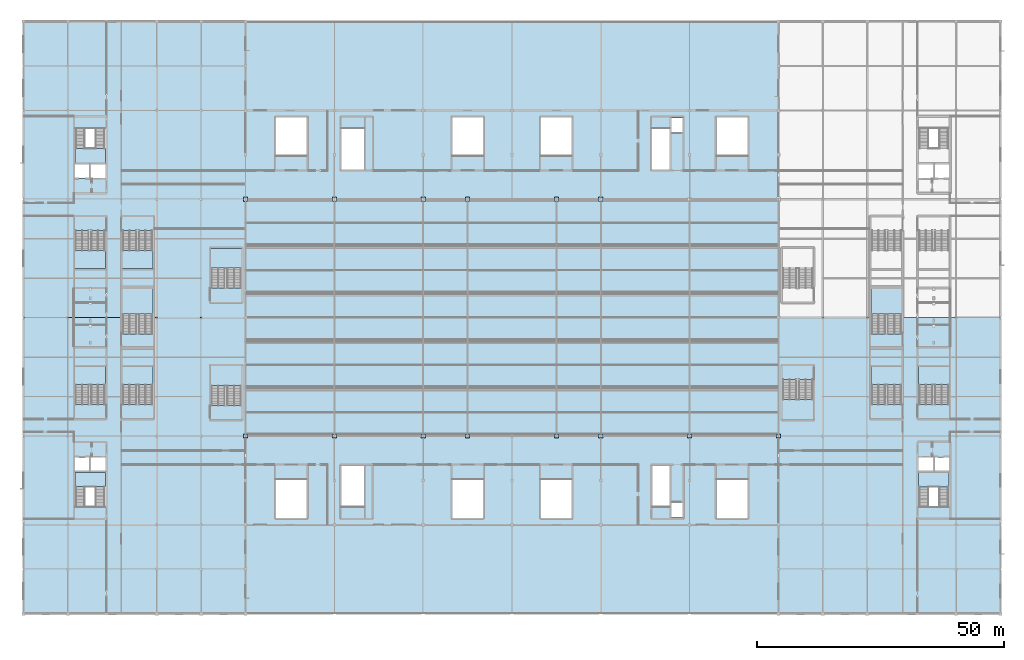
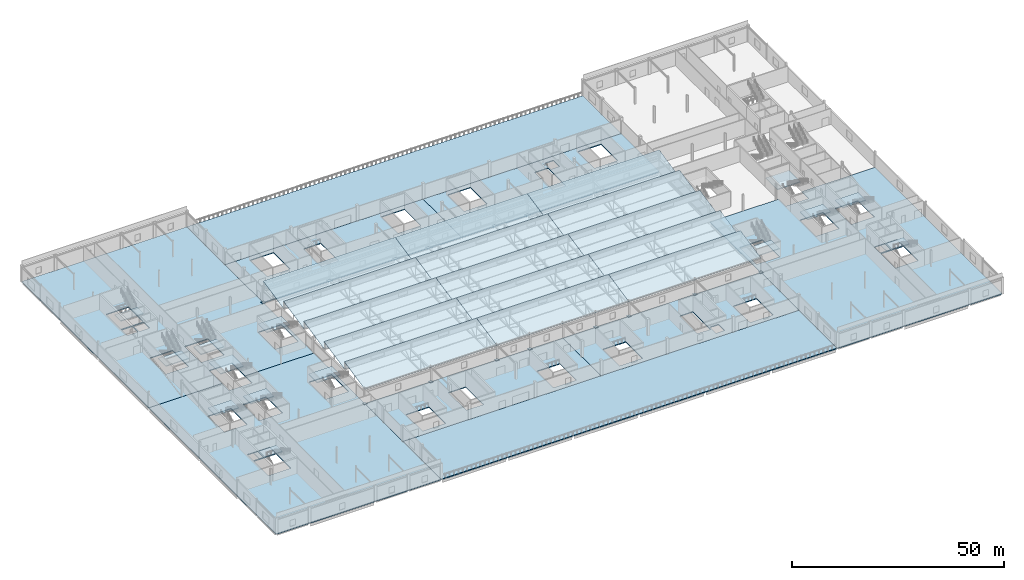
# One storey, part 92 of 136: 38 slabs, 14 plates, 19 elements without a shape of their own.
"""IFC4 building model written with IfcOpenShell, lengths in metres."""

from ifc_helpers import new_model, si_unit, direction, frame, origin, origin_2d, place, context, subcontext, project, spatial, polyline, rectangle, outline, extrude, material, layer, layer_set, type_object, element, aggregate, save


model = new_model("IFC4")

# Units and contexts
model_context = context("Model", 3, precision=1e-05, world=origin(), true_north=direction((0.0, 1.0)))
body_context = subcontext(model_context, "Body", "Model", "MODEL_VIEW")
ifc_project = project(units=[si_unit("LENGTHUNIT", "METRE"), si_unit("AREAUNIT", "SQUARE_METRE"), si_unit("VOLUMEUNIT", "CUBIC_METRE"), si_unit("PLANEANGLEUNIT", "RADIAN"), si_unit("MASSUNIT", "GRAM", prefix="KILO")], contexts=[model_context])

# Site, building, storey
site_placement = place(None, origin())
site = spatial("IfcSite", under=ifc_project, at=site_placement, CompositionType="ELEMENT")
building_placement = place(site_placement, origin())
building = spatial("IfcBuilding", under=site, at=building_placement, Name="Kisiwana Market Hall", CompositionType="ELEMENT")
storey_placement = place(building_placement, frame((0.0, 0.0, 16.800048828125)))
storey = spatial("IfcBuildingStorey", under=building, at=storey_placement, Name="L03", CompositionType="ELEMENT", Elevation=16.800048828125)

# Plates
ifc_material_1 = material(Name="Steel S355", Category="steel")
ifc_layer_1 = layer(ifc_material_1, 0.0400390625)
ifc_layer_set_1 = layer_set([ifc_layer_1], Name="PL-STR-BEAR-40")
plate_type = type_object("IfcPlateType", Name="PL-STR-BEAR-40", PredefinedType="SHEET", material=ifc_layer_set_1)
for number, where, z_axis, x_axis, name in (
    (1, (45.0, 36.0, 0.0), (0.0, 0.0, 1.0), (1.0, 0.0, 0.0), "Warren truss bearing shoe plate BP-13"),
    (2, (45.0, 84.0, 0.0), (0.0, 0.0, 1.0), (1.0, 0.0, 0.0), "Warren truss bearing shoe plate BP-14"),
    (3, (63.0, 36.0, 0.0), (0.0, 0.0, 1.0), (1.0, 0.0, 0.0), "Warren truss bearing shoe plate BP-15"),
    (4, (63.0, 84.0, 0.0), (0.0, 0.0, 1.0), (1.0, 0.0, 0.0), "Warren truss bearing shoe plate BP-16"),
    (5, (81.0, 36.0, 0.0), (0.0, 0.0, 1.0), (1.0, 0.0, 0.0), "Warren truss bearing shoe plate BP-17"),
    (6, (81.0, 84.0, 0.0), (0.0, 0.0, 1.0), (1.0, 0.0, 0.0), "Warren truss bearing shoe plate BP-18"),
    (7, (90.0, 36.0, 0.0), (0.0, 0.0, 1.0), (1.0, 0.0, 0.0), "Warren truss bearing shoe plate BP-19"),
    (8, (90.0, 84.0, 0.0), (0.0, 0.0, 1.0), (1.0, 0.0, 0.0), "Warren truss bearing shoe plate BP-20"),
    (9, (108.0, 36.0, 0.0), (0.0, 0.0, 1.0), (1.0, 0.0, 0.0), "Warren truss bearing shoe plate BP-21"),
    (10, (108.0, 84.0, 0.0), (0.0, 0.0, 1.0), (1.0, 0.0, 0.0), "Warren truss bearing shoe plate BP-22"),
    (11, (117.0, 36.0, 0.0), (0.0, 0.0, 1.0), (1.0, 0.0, 0.0), "Warren truss bearing shoe plate BP-23"),
    (12, (117.0, 84.0, 0.0), (0.0, 0.0, 1.0), (1.0, 0.0, 0.0), "Warren truss bearing shoe plate BP-24"),
    (13, (135.0, 36.0, 0.0), (0.0, 0.0, 1.0), (1.0, 0.0, 0.0), "Warren truss bearing shoe plate BP-25"),
    (14, (153.0, 36.0, 0.0), (0.0, 0.0, 1.0), (1.0, 0.0, 0.0), "Warren truss bearing shoe plate BP-27"),
):
    element("IfcPlate", number, at=place(storey_placement, frame(where, z_axis=z_axis, x_axis=x_axis)), inside=storey, type_object=plate_type, Name=name, PredefinedType="SHEET", context=body_context, shape_type="SweptSolid", body=[
        extrude(rectangle(XDim=0.85009765625, YDim=0.85009765625, at=origin_2d()), origin(), (0.0, 0.0, 1.0), 0.0400390625),
    ])

# Stair, slab
ifc_material_2 = material(Name="Concrete C32/40", Category="concrete")
stair_type_1 = type_object("IfcStairType", Name="ST-POD-4800", PredefinedType="TWO_STRAIGHT_RUN_STAIR", material=ifc_material_2)
stair_1_placement = place(storey_placement, origin())
stair_1 = element("IfcStair", 15, at=stair_1_placement, inside=storey, type_object=stair_type_1, Name="Escape stair ST-W2-L03", PredefinedType="TWO_STRAIGHT_RUN_STAIR")
ifc_material_3 = material(Name="Concrete C32/40", Category="concrete")
ifc_layer_2 = layer(ifc_material_3, 0.239990234375)
ifc_layer_set_2 = layer_set([ifc_layer_2], Name="SL-LANDING-160")
slab_type_1 = type_object("IfcSlabType", Name="SL-LANDING-160", PredefinedType="LANDING", material=ifc_layer_set_2)
slab_1_placement = place(storey_placement, frame((0.0, 0.0, 2.159912109375)))
slab_1 = element("IfcSlab", 16, at=slab_1_placement, type_object=slab_type_1, Name="ST-W2-L03 landing 1 S-209", PredefinedType="LANDING", context=body_context, shape_type="SweptSolid", body=[
    extrude(outline(polyline([(10.405029296875, 25.73388671875), (16.594970703125, 25.73388671875), (16.594970703125, 28.64501953125), (10.405029296875, 28.64501953125), (10.405029296875, 25.73388671875)])), origin(), (0.0, 0.0, 1.0), 0.239990234375),
])
aggregate(stair_1, [slab_1])

stair_2_placement = place(storey_placement, origin())
stair_2 = element("IfcStair", 17, at=stair_2_placement, inside=storey, type_object=stair_type_1, Name="Escape stair ST-W1-L03", PredefinedType="TWO_STRAIGHT_RUN_STAIR")
slab_2_placement = place(storey_placement, frame((0.0, 0.0, 2.159912109375)))
slab_2 = element("IfcSlab", 18, at=slab_2_placement, type_object=slab_type_1, Name="ST-W1-L03 landing 1 S-207", PredefinedType="LANDING", context=body_context, shape_type="SweptSolid", body=[
    extrude(outline(polyline([(10.405029296875, 91.35498046875), (16.594970703125, 91.35498046875), (16.594970703125, 94.26611328125), (10.405029296875, 94.26611328125), (10.405029296875, 91.35498046875)])), origin(), (0.0, 0.0, 1.0), 0.239990234375),
])
aggregate(stair_2, [slab_2])

stair_3_placement = place(storey_placement, origin())
stair_3 = element("IfcStair", 19, at=stair_3_placement, inside=storey, type_object=stair_type_1, Name="Escape stair ST-E2-L03", PredefinedType="TWO_STRAIGHT_RUN_STAIR")
slab_3_placement = place(storey_placement, frame((0.0, 0.0, 2.159912109375)))
slab_3 = element("IfcSlab", 20, at=slab_3_placement, type_object=slab_type_1, Name="ST-E2-L03 landing 1 S-200", PredefinedType="LANDING", context=body_context, shape_type="SweptSolid", body=[
    extrude(outline(polyline([(181.3798828125, 25.708984375), (187.6201171875, 25.708984375), (187.6201171875, 28.6201171875), (181.3798828125, 28.6201171875), (181.3798828125, 25.708984375)])), origin(), (0.0, 0.0, 1.0), 0.239990234375),
])
aggregate(stair_3, [slab_3])

ifc_material_4 = material(Name="Concrete C32/40", Category="concrete")
stair_type_2 = type_object("IfcStairType", Name="ST-ESC-4800", PredefinedType="TWO_STRAIGHT_RUN_STAIR", material=ifc_material_4)
stair_4_placement = place(storey_placement, origin())
stair_4 = element("IfcStair", 21, at=stair_4_placement, inside=storey, type_object=stair_type_2, Name="Escape stair ST-W3-L03", PredefinedType="TWO_STRAIGHT_RUN_STAIR")
slab_4_placement = place(storey_placement, frame((0.0, 0.0, 2.159912109375)))
slab_4 = element("IfcSlab", 22, at=slab_4_placement, type_object=slab_type_1, Name="ST-W3-L03 landing 1 S-210", PredefinedType="LANDING", context=body_context, shape_type="SweptSolid", body=[
    extrude(outline(polyline([(10.340087890625, 46.41943359375), (16.659912109375, 46.41943359375), (16.659912109375, 50.06005859375), (10.340087890625, 50.06005859375), (10.340087890625, 46.41943359375)])), origin(), (0.0, 0.0, 1.0), 0.239990234375),
])
aggregate(stair_4, [slab_4])

stair_5_placement = place(storey_placement, origin())
stair_5 = element("IfcStair", 23, at=stair_5_placement, inside=storey, type_object=stair_type_2, Name="Escape stair ST-W4-L03", PredefinedType="TWO_STRAIGHT_RUN_STAIR")
slab_5_placement = place(storey_placement, frame((0.0, 0.0, 2.159912109375)))
slab_5 = element("IfcSlab", 24, at=slab_5_placement, type_object=slab_type_1, Name="ST-W4-L03 landing 1 S-211", PredefinedType="LANDING", context=body_context, shape_type="SweptSolid", body=[
    extrude(outline(polyline([(10.340087890625, 69.93994140625), (16.659912109375, 69.93994140625), (16.659912109375, 73.58056640625), (10.340087890625, 73.58056640625), (10.340087890625, 69.93994140625)])), origin(), (0.0, 0.0, 1.0), 0.239990234375),
])
aggregate(stair_5, [slab_5])

stair_6_placement = place(storey_placement, origin())
stair_6 = element("IfcStair", 25, at=stair_6_placement, inside=storey, type_object=stair_type_2, Name="Escape stair ST-E3-L03", PredefinedType="TWO_STRAIGHT_RUN_STAIR")
slab_6_placement = place(storey_placement, frame((0.0, 0.0, 2.159912109375)))
slab_6 = element("IfcSlab", 26, at=slab_6_placement, type_object=slab_type_1, Name="ST-E3-L03 landing 1 S-201", PredefinedType="LANDING", context=body_context, shape_type="SweptSolid", body=[
    extrude(outline(polyline([(181.340087890625, 46.41943359375), (187.659912109375, 46.41943359375), (187.659912109375, 50.06005859375), (181.340087890625, 50.06005859375), (181.340087890625, 46.41943359375)])), origin(), (0.0, 0.0, 1.0), 0.239990234375),
])
aggregate(stair_6, [slab_6])

stair_7_placement = place(storey_placement, origin())
stair_7 = element("IfcStair", 27, at=stair_7_placement, inside=storey, type_object=stair_type_2, Name="Escape stair ST-W7-L03", PredefinedType="TWO_STRAIGHT_RUN_STAIR")
slab_7_placement = place(storey_placement, frame((0.0, 0.0, 2.159912109375)))
slab_7 = element("IfcSlab", 28, at=slab_7_placement, type_object=slab_type_1, Name="ST-W7-L03 landing 1 S-213", PredefinedType="LANDING", context=body_context, shape_type="SweptSolid", body=[
    extrude(outline(polyline([(19.93994140625, 46.41943359375), (26.260009765625, 46.41943359375), (26.260009765625, 50.06005859375), (19.93994140625, 50.06005859375), (19.93994140625, 46.41943359375)])), origin(), (0.0, 0.0, 1.0), 0.239990234375),
])
aggregate(stair_7, [slab_7])

stair_8_placement = place(storey_placement, origin())
stair_8 = element("IfcStair", 29, at=stair_8_placement, inside=storey, type_object=stair_type_2, Name="Escape stair ST-E7-L03", PredefinedType="TWO_STRAIGHT_RUN_STAIR")
slab_8_placement = place(storey_placement, frame((0.0, 0.0, 2.159912109375)))
slab_8 = element("IfcSlab", 30, at=slab_8_placement, type_object=slab_type_1, Name="ST-E7-L03 landing 1 S-204", PredefinedType="LANDING", context=body_context, shape_type="SweptSolid", body=[
    extrude(outline(polyline([(171.739990234375, 46.41943359375), (178.06005859375, 46.41943359375), (178.06005859375, 50.06005859375), (171.739990234375, 50.06005859375), (171.739990234375, 46.41943359375)])), origin(), (0.0, 0.0, 1.0), 0.239990234375),
])
aggregate(stair_8, [slab_8])

stair_9_placement = place(storey_placement, origin())
stair_9 = element("IfcStair", 31, at=stair_9_placement, inside=storey, type_object=stair_type_2, Name="Escape stair ST-W8-L03", PredefinedType="TWO_STRAIGHT_RUN_STAIR")
slab_9_placement = place(storey_placement, frame((0.0, 0.0, 2.159912109375)))
slab_9 = element("IfcSlab", 32, at=slab_9_placement, type_object=slab_type_1, Name="ST-W8-L03 landing 1 S-214", PredefinedType="LANDING", context=body_context, shape_type="SweptSolid", body=[
    extrude(outline(polyline([(19.93994140625, 69.93994140625), (26.260009765625, 69.93994140625), (26.260009765625, 73.58056640625), (19.93994140625, 73.58056640625), (19.93994140625, 69.93994140625)])), origin(), (0.0, 0.0, 1.0), 0.239990234375),
])
aggregate(stair_9, [slab_9])

stair_10_placement = place(storey_placement, origin())
stair_10 = element("IfcStair", 33, at=stair_10_placement, inside=storey, type_object=stair_type_2, Name="Escape stair ST-W9-L03", PredefinedType="TWO_STRAIGHT_RUN_STAIR")
slab_10_placement = place(storey_placement, frame((0.0, 0.0, 2.159912109375)))
slab_10 = element("IfcSlab", 34, at=slab_10_placement, type_object=slab_type_1, Name="ST-W9-L03 landing 1 S-215", PredefinedType="LANDING", context=body_context, shape_type="SweptSolid", body=[
    extrude(outline(polyline([(37.909912109375, 46.219482421875), (44.22998046875, 46.219482421875), (44.22998046875, 50.260009765625), (37.909912109375, 50.260009765625), (37.909912109375, 46.219482421875)])), origin(), (0.0, 0.0, 1.0), 0.239990234375),
])
aggregate(stair_10, [slab_10])

stair_11_placement = place(storey_placement, origin())
stair_11 = element("IfcStair", 35, at=stair_11_placement, inside=storey, type_object=stair_type_2, Name="Escape stair ST-E9-L03", PredefinedType="TWO_STRAIGHT_RUN_STAIR")
slab_11_placement = place(storey_placement, frame((0.0, 0.0, 2.159912109375)))
slab_11 = element("IfcSlab", 36, at=slab_11_placement, type_object=slab_type_1, Name="ST-E9-L03 landing 1 S-206", PredefinedType="LANDING", context=body_context, shape_type="SweptSolid", body=[
    extrude(outline(polyline([(153.77001953125, 39.340087890625), (160.090087890625, 39.340087890625), (160.090087890625, 43.380615234375), (153.77001953125, 43.380615234375), (153.77001953125, 39.340087890625)])), origin(), (0.0, 0.0, 1.0), 0.239990234375),
])
aggregate(stair_11, [slab_11])

stair_12_placement = place(storey_placement, origin())
stair_12 = element("IfcStair", 37, at=stair_12_placement, inside=storey, type_object=stair_type_2, Name="Escape stair ST-W10-L03", PredefinedType="TWO_STRAIGHT_RUN_STAIR")
slab_12_placement = place(storey_placement, frame((0.0, 0.0, 2.159912109375)))
slab_12 = element("IfcSlab", 38, at=slab_12_placement, type_object=slab_type_1, Name="ST-W10-L03 landing 1 S-208", PredefinedType="LANDING", context=body_context, shape_type="SweptSolid", body=[
    extrude(outline(polyline([(37.909912109375, 70.01953125), (44.22998046875, 70.01953125), (44.22998046875, 74.06005859375), (37.909912109375, 74.06005859375), (37.909912109375, 70.01953125)])), origin(), (0.0, 0.0, 1.0), 0.239990234375),
])
aggregate(stair_12, [slab_12])

stair_13_placement = place(storey_placement, origin())
stair_13 = element("IfcStair", 39, at=stair_13_placement, inside=storey, type_object=stair_type_2, Name="Escape stair ST-W5-L03", PredefinedType="TWO_STRAIGHT_RUN_STAIR")
slab_13_placement = place(storey_placement, frame((0.0, 0.0, 2.159912109375)))
slab_13 = element("IfcSlab", 40, at=slab_13_placement, type_object=slab_type_1, Name="ST-W5-L03 landing 1 S-212", PredefinedType="LANDING", context=body_context, shape_type="SweptSolid", body=[
    extrude(outline(polyline([(19.93994140625, 60.699462890625), (26.260009765625, 60.699462890625), (26.260009765625, 66.179931640625), (19.93994140625, 66.179931640625), (19.93994140625, 60.699462890625)])), origin(), (0.0, 0.0, 1.0), 0.239990234375),
])
aggregate(stair_13, [slab_13])

stair_14_placement = place(storey_placement, origin())
stair_14 = element("IfcStair", 41, at=stair_14_placement, inside=storey, type_object=stair_type_2, Name="Escape stair ST-E5-L03", PredefinedType="TWO_STRAIGHT_RUN_STAIR")
slab_14_placement = place(storey_placement, frame((0.0, 0.0, 2.159912109375)))
slab_14 = element("IfcSlab", 42, at=slab_14_placement, type_object=slab_type_1, Name="ST-E5-L03 landing 1 S-203", PredefinedType="LANDING", context=body_context, shape_type="SweptSolid", body=[
    extrude(outline(polyline([(171.739990234375, 60.699462890625), (178.06005859375, 60.699462890625), (178.06005859375, 66.179931640625), (171.739990234375, 66.179931640625), (171.739990234375, 60.699462890625)])), origin(), (0.0, 0.0, 1.0), 0.239990234375),
])
aggregate(stair_14, [slab_14])

# Slabs
ifc_material_5 = material(Name="Concrete C32/40", Category="concrete")
ifc_layer_3 = layer(ifc_material_5, 0.25)
ifc_layer_set_3 = layer_set([ifc_layer_3], Name="SL-POD-220")
slab_type_2 = type_object("IfcSlabType", Name="SL-POD-220", PredefinedType="FLOOR", material=ifc_layer_set_3)
slab_15_placement = place(storey_placement, frame((0.0, 0.0, -0.25)))
element("IfcSlab", 43, at=slab_15_placement, inside=storey, type_object=slab_type_2, Name="Structural slab S-175", PredefinedType="FLOOR", context=body_context, shape_type="SweptSolid", body=[
    extrude(outline(polyline([(0.0, 0.0), (45.0, 0.0), (45.0, 60.0), (26.239990234375, 60.0), (26.239990234375, 56.659912109375), (19.9599609375, 56.659912109375), (19.9599609375, 60.0), (0.0, 60.0), (0.0, 0.0)]), holes=[polyline([(10.425048828125, 21.675048828125), (16.574951171875, 21.675048828125), (16.574951171875, 28.625), (10.425048828125, 28.625), (10.425048828125, 21.675048828125)]), polyline([(10.425048828125, 28.945068359375), (13.340087890625, 28.945068359375), (13.340087890625, 31.675048828125), (10.425048828125, 31.675048828125), (10.425048828125, 28.945068359375)]), polyline([(13.659912109375, 28.945068359375), (16.574951171875, 28.945068359375), (16.574951171875, 31.675048828125), (13.659912109375, 31.675048828125), (13.659912109375, 28.945068359375)]), polyline([(10.360107421875, 42.3798828125), (16.639892578125, 42.3798828125), (16.639892578125, 50.0400390625), (10.360107421875, 50.0400390625), (10.360107421875, 42.3798828125)]), polyline([(19.9599609375, 42.3798828125), (26.239990234375, 42.3798828125), (26.239990234375, 50.0400390625), (19.9599609375, 50.0400390625), (19.9599609375, 42.3798828125)]), polyline([(37.929931640625, 42.179931640625), (44.2099609375, 42.179931640625), (44.2099609375, 50.239990234375), (37.929931640625, 50.239990234375), (37.929931640625, 42.179931640625)])]), origin(), (0.0, 0.0, 1.0), 0.25),
])
slab_16_placement = place(storey_placement, frame((0.0, 0.0, -0.25)))
element("IfcSlab", 44, at=slab_16_placement, inside=storey, type_object=slab_type_2, Name="Structural slab S-176", PredefinedType="FLOOR", context=body_context, shape_type="SweptSolid", body=[
    extrude(outline(polyline([(0.0, 60.0), (19.9599609375, 60.0), (19.9599609375, 66.159912109375), (26.239990234375, 66.159912109375), (26.239990234375, 60.0), (45.0, 60.0), (45.0, 120.0), (0.0, 120.0), (0.0, 60.0)]), holes=[polyline([(10.425048828125, 91.375), (16.574951171875, 91.375), (16.574951171875, 98.324951171875), (10.425048828125, 98.324951171875), (10.425048828125, 91.375)]), polyline([(10.425048828125, 88.324951171875), (13.340087890625, 88.324951171875), (13.340087890625, 91.054931640625), (10.425048828125, 91.054931640625), (10.425048828125, 88.324951171875)]), polyline([(13.659912109375, 88.324951171875), (16.574951171875, 88.324951171875), (16.574951171875, 91.054931640625), (13.659912109375, 91.054931640625), (13.659912109375, 88.324951171875)]), polyline([(10.360107421875, 69.9599609375), (16.639892578125, 69.9599609375), (16.639892578125, 77.6201171875), (10.360107421875, 77.6201171875), (10.360107421875, 69.9599609375)]), polyline([(19.9599609375, 69.9599609375), (26.239990234375, 69.9599609375), (26.239990234375, 77.6201171875), (19.9599609375, 77.6201171875), (19.9599609375, 69.9599609375)]), polyline([(37.929931640625, 65.97998046875), (44.2099609375, 65.97998046875), (44.2099609375, 74.0400390625), (37.929931640625, 74.0400390625), (37.929931640625, 65.97998046875)])]), origin(), (0.0, 0.0, 1.0), 0.25),
])
slab_17_placement = place(storey_placement, frame((0.0, 0.0, -0.25)))
element("IfcSlab", 45, at=slab_17_placement, inside=storey, type_object=slab_type_2, Name="Structural slab S-177", PredefinedType="FLOOR", context=body_context, shape_type="SweptSolid", body=[
    extrude(outline(polyline([(153.0, 0.0), (198.0, 0.0), (198.0, 60.0), (178.0400390625, 60.0), (178.0400390625, 56.659912109375), (171.760009765625, 56.659912109375), (171.760009765625, 60.0), (153.0, 60.0), (153.0, 0.0)]), holes=[polyline([(181.39990234375, 21.64990234375), (187.60009765625, 21.64990234375), (187.60009765625, 28.60009765625), (181.39990234375, 28.60009765625), (181.39990234375, 21.64990234375)]), polyline([(181.39990234375, 28.919921875), (184.340087890625, 28.919921875), (184.340087890625, 31.64990234375), (181.39990234375, 31.64990234375), (181.39990234375, 28.919921875)]), polyline([(184.659912109375, 28.919921875), (187.60009765625, 28.919921875), (187.60009765625, 31.64990234375), (184.659912109375, 31.64990234375), (184.659912109375, 28.919921875)]), polyline([(181.360107421875, 42.3798828125), (187.639892578125, 42.3798828125), (187.639892578125, 50.0400390625), (181.360107421875, 50.0400390625), (181.360107421875, 42.3798828125)]), polyline([(171.760009765625, 42.3798828125), (178.0400390625, 42.3798828125), (178.0400390625, 50.0400390625), (171.760009765625, 50.0400390625), (171.760009765625, 42.3798828125)]), polyline([(153.7900390625, 39.360107421875), (160.070068359375, 39.360107421875), (160.070068359375, 47.419921875), (153.7900390625, 47.419921875), (153.7900390625, 39.360107421875)])]), origin(), (0.0, 0.0, 1.0), 0.25),
])
slab_18_placement = place(storey_placement, frame((0.0, 0.0, -0.25)))
element("IfcSlab", 46, at=slab_18_placement, inside=storey, type_object=slab_type_2, Name="Structural slab S-179", PredefinedType="FLOOR", context=body_context, shape_type="SweptSolid", body=[
    extrude(outline(polyline([(45.0, 18.0), (99.0, 18.0), (99.0, 36.0), (45.0, 36.0), (45.0, 18.0)]), holes=[polyline([(64.3798828125, 21.6298828125), (69.080078125, 21.6298828125), (69.080078125, 30.02001953125), (64.3798828125, 30.02001953125), (64.3798828125, 21.6298828125)]), polyline([(51.159912109375, 19.360107421875), (57.43994140625, 19.360107421875), (57.43994140625, 27.219970703125), (51.159912109375, 27.219970703125), (51.159912109375, 19.360107421875)]), polyline([(86.860107421875, 19.360107421875), (93.139892578125, 19.360107421875), (93.139892578125, 27.219970703125), (86.860107421875, 27.219970703125), (86.860107421875, 19.360107421875)])]), origin(), (0.0, 0.0, 1.0), 0.25),
])
slab_19_placement = place(storey_placement, frame((0.0, 0.0, -0.25)))
element("IfcSlab", 47, at=slab_19_placement, inside=storey, type_object=slab_type_2, Name="Structural slab S-180", PredefinedType="FLOOR", context=body_context, shape_type="SweptSolid", body=[
    extrude(outline(polyline([(99.0, 18.0), (153.0, 18.0), (153.0, 36.0), (99.0, 36.0), (99.0, 18.0)]), holes=[polyline([(127.3798828125, 21.6298828125), (130.97998046875, 21.6298828125), (130.97998046875, 30.02001953125), (127.3798828125, 30.02001953125), (127.3798828125, 21.6298828125)]), polyline([(131.300048828125, 19.580078125), (133.6201171875, 19.580078125), (133.6201171875, 22.47998046875), (131.300048828125, 22.47998046875), (131.300048828125, 19.580078125)]), polyline([(104.860107421875, 19.360107421875), (111.139892578125, 19.360107421875), (111.139892578125, 27.219970703125), (104.860107421875, 27.219970703125), (104.860107421875, 19.360107421875)]), polyline([(140.4599609375, 19.360107421875), (146.739990234375, 19.360107421875), (146.739990234375, 27.219970703125), (140.4599609375, 27.219970703125), (140.4599609375, 19.360107421875)])]), origin(), (0.0, 0.0, 1.0), 0.25),
])
slab_20_placement = place(storey_placement, frame((0.0, 0.0, -0.25)))
element("IfcSlab", 48, at=slab_20_placement, inside=storey, type_object=slab_type_2, Name="Structural slab S-181", PredefinedType="FLOOR", context=body_context, shape_type="SweptSolid", body=[
    extrude(outline(polyline([(45.0, 84.0), (99.0, 84.0), (99.0, 102.0), (45.0, 102.0), (45.0, 84.0)]), holes=[polyline([(64.360107421875, 89.9599609375), (69.06005859375, 89.9599609375), (69.06005859375, 98.389892578125), (64.360107421875, 98.389892578125), (64.360107421875, 89.9599609375)]), polyline([(51.159912109375, 92.780029296875), (57.43994140625, 92.780029296875), (57.43994140625, 100.639892578125), (51.159912109375, 100.639892578125), (51.159912109375, 92.780029296875)]), polyline([(86.860107421875, 92.780029296875), (93.139892578125, 92.780029296875), (93.139892578125, 100.639892578125), (86.860107421875, 100.639892578125), (86.860107421875, 92.780029296875)])]), origin(), (0.0, 0.0, 1.0), 0.25),
])
slab_21_placement = place(storey_placement, frame((0.0, 0.0, -0.25)))
element("IfcSlab", 49, at=slab_21_placement, inside=storey, type_object=slab_type_2, Name="Structural slab S-182", PredefinedType="FLOOR", context=body_context, shape_type="SweptSolid", body=[
    extrude(outline(polyline([(99.0, 84.0), (153.0, 84.0), (153.0, 102.0), (99.0, 102.0), (99.0, 84.0)]), holes=[polyline([(127.360107421875, 89.9599609375), (130.9599609375, 89.9599609375), (130.9599609375, 98.389892578125), (127.360107421875, 98.389892578125), (127.360107421875, 89.9599609375)]), polyline([(131.280029296875, 97.5400390625), (133.639892578125, 97.5400390625), (133.639892578125, 100.43994140625), (131.280029296875, 100.43994140625), (131.280029296875, 97.5400390625)]), polyline([(104.860107421875, 92.780029296875), (111.139892578125, 92.780029296875), (111.139892578125, 100.639892578125), (104.860107421875, 100.639892578125), (104.860107421875, 92.780029296875)]), polyline([(140.4599609375, 92.780029296875), (146.739990234375, 92.780029296875), (146.739990234375, 100.639892578125), (140.4599609375, 100.639892578125), (140.4599609375, 92.780029296875)])]), origin(), (0.0, 0.0, 1.0), 0.25),
])

# Roof, slabs
ifc_material_6 = material(Name="Steel S355", Category="steel")
ifc_layer_4 = layer(ifc_material_6, 0.18505859375)
ifc_layer_set_4 = layer_set([ifc_layer_4], Name="RF-SAWTOOTH")
roof_type = type_object("IfcRoofType", Name="RF-SAWTOOTH", PredefinedType="SHED_ROOF", material=ifc_layer_set_4)
roof_1_placement = place(storey_placement, origin())
roof_1 = element("IfcRoof", 50, at=roof_1_placement, inside=storey, type_object=roof_type, Name="Sawtooth roof lantern assembly 1", PredefinedType="SHED_ROOF")
ifc_material_7 = material(Name="Concrete C32/40", Category="concrete")
ifc_layer_5 = layer(ifc_material_7, 0.14990234375)
ifc_layer_set_5 = layer_set([ifc_layer_5], Name="SL-SAW-ROOF-150")
slab_type_3 = type_object("IfcSlabType", Name="SL-SAW-ROOF-150", PredefinedType="ROOF", material=ifc_layer_set_5)
slab_22_placement = place(storey_placement, frame((45.0, 36.0, 4.17333984375), z_axis=(0.0, -0.2079081418, 0.978148355094), x_axis=(1.0, 0.0, 0.0)))
slab_22 = element("IfcSlab", 51, at=slab_22_placement, type_object=slab_type_3, Name="Sawtooth roof deck S-183", PredefinedType="ROOF", context=body_context, shape_type="SweptSolid", body=[
    extrude(outline(polyline([(0.0, 0.0), (36.0, 0.0), (36.0, 9.814561979534703), (0.0, 9.814561979534703), (0.0, 0.0)])), origin(), (0.0, 0.0, -1.0), 0.14990234375),
])
slab_23_placement = place(storey_placement, frame((81.0, 36.0, 4.17333984375), z_axis=(0.0, -0.2079081418, 0.978148355094), x_axis=(1.0, 0.0, 0.0)))
slab_23 = element("IfcSlab", 52, at=slab_23_placement, type_object=slab_type_3, Name="Sawtooth roof deck S-184", PredefinedType="ROOF", context=body_context, shape_type="SweptSolid", body=[
    extrude(outline(polyline([(0.0, 0.0), (36.0, 0.0), (36.0, 9.814561979534703), (0.0, 9.814561979534703), (0.0, 0.0)])), origin(), (0.0, 0.0, -1.0), 0.14990234375),
])
slab_24_placement = place(storey_placement, frame((117.0, 36.0, 4.17333984375), z_axis=(0.0, -0.2079081418, 0.978148355094), x_axis=(1.0, 0.0, 0.0)))
slab_24 = element("IfcSlab", 53, at=slab_24_placement, type_object=slab_type_3, Name="Sawtooth roof deck S-185", PredefinedType="ROOF", context=body_context, shape_type="SweptSolid", body=[
    extrude(outline(polyline([(0.0, 0.0), (36.0, 0.0), (36.0, 9.814561979534703), (0.0, 9.814561979534703), (0.0, 0.0)])), origin(), (0.0, 0.0, -1.0), 0.14990234375),
])
aggregate(roof_1, [slab_22, slab_23, slab_24])

roof_2_placement = place(storey_placement, origin())
roof_2 = element("IfcRoof", 54, at=roof_2_placement, inside=storey, type_object=roof_type, Name="Sawtooth roof lantern assembly 2", PredefinedType="SHED_ROOF")
slab_25_placement = place(storey_placement, frame((45.0, 45.60009765625, 4.17333984375), z_axis=(0.0, -0.207913200696, 0.978147279798), x_axis=(1.0, 0.0, 0.0)))
slab_25 = element("IfcSlab", 55, at=slab_25_placement, type_object=slab_type_3, Name="Sawtooth roof deck S-186", PredefinedType="ROOF", context=body_context, shape_type="SweptSolid", body=[
    extrude(outline(polyline([(0.0, 0.0), (36.0, 0.0), (36.0, 9.814323173915207), (0.0, 9.814323173915207), (0.0, 0.0)])), origin(), (0.0, 0.0, -1.0), 0.14990234375),
])
slab_26_placement = place(storey_placement, frame((81.0, 45.60009765625, 4.17333984375), z_axis=(0.0, -0.207913200696, 0.978147279798), x_axis=(1.0, 0.0, 0.0)))
slab_26 = element("IfcSlab", 56, at=slab_26_placement, type_object=slab_type_3, Name="Sawtooth roof deck S-187", PredefinedType="ROOF", context=body_context, shape_type="SweptSolid", body=[
    extrude(outline(polyline([(0.0, 0.0), (36.0, 0.0), (36.0, 9.814323173915207), (0.0, 9.814323173915207), (0.0, 0.0)])), origin(), (0.0, 0.0, -1.0), 0.14990234375),
])
slab_27_placement = place(storey_placement, frame((117.0, 45.60009765625, 4.17333984375), z_axis=(0.0, -0.207913200696, 0.978147279798), x_axis=(1.0, 0.0, 0.0)))
slab_27 = element("IfcSlab", 57, at=slab_27_placement, type_object=slab_type_3, Name="Sawtooth roof deck S-188", PredefinedType="ROOF", context=body_context, shape_type="SweptSolid", body=[
    extrude(outline(polyline([(0.0, 0.0), (36.0, 0.0), (36.0, 9.814323173915207), (0.0, 9.814323173915207), (0.0, 0.0)])), origin(), (0.0, 0.0, -1.0), 0.14990234375),
])
aggregate(roof_2, [slab_25, slab_26, slab_27])

roof_3_placement = place(storey_placement, origin())
roof_3 = element("IfcRoof", 58, at=roof_3_placement, inside=storey, type_object=roof_type, Name="Sawtooth roof lantern assembly 3", PredefinedType="SHED_ROOF")
slab_28_placement = place(storey_placement, frame((45.0, 55.199951171875, 4.17333984375), z_axis=(0.0, -0.2079081418, 0.978148355094), x_axis=(1.0, 0.0, 0.0)))
slab_28 = element("IfcSlab", 59, at=slab_28_placement, type_object=slab_type_3, Name="Sawtooth roof deck S-189", PredefinedType="ROOF", context=body_context, shape_type="SweptSolid", body=[
    extrude(outline(polyline([(0.0, 0.0), (36.0, 0.0), (36.0, 9.814561979534703), (0.0, 9.814561979534703), (0.0, 0.0)])), origin(), (0.0, 0.0, -1.0), 0.14990234375),
])
slab_29_placement = place(storey_placement, frame((81.0, 55.199951171875, 4.17333984375), z_axis=(0.0, -0.2079081418, 0.978148355094), x_axis=(1.0, 0.0, 0.0)))
slab_29 = element("IfcSlab", 60, at=slab_29_placement, type_object=slab_type_3, Name="Sawtooth roof deck S-190", PredefinedType="ROOF", context=body_context, shape_type="SweptSolid", body=[
    extrude(outline(polyline([(0.0, 0.0), (36.0, 0.0), (36.0, 9.814561979534703), (0.0, 9.814561979534703), (0.0, 0.0)])), origin(), (0.0, 0.0, -1.0), 0.14990234375),
])
slab_30_placement = place(storey_placement, frame((117.0, 55.199951171875, 4.17333984375), z_axis=(0.0, -0.2079081418, 0.978148355094), x_axis=(1.0, 0.0, 0.0)))
slab_30 = element("IfcSlab", 61, at=slab_30_placement, type_object=slab_type_3, Name="Sawtooth roof deck S-191", PredefinedType="ROOF", context=body_context, shape_type="SweptSolid", body=[
    extrude(outline(polyline([(0.0, 0.0), (36.0, 0.0), (36.0, 9.814561979534703), (0.0, 9.814561979534703), (0.0, 0.0)])), origin(), (0.0, 0.0, -1.0), 0.14990234375),
])
aggregate(roof_3, [slab_28, slab_29, slab_30])

roof_4_placement = place(storey_placement, origin())
roof_4 = element("IfcRoof", 62, at=roof_4_placement, inside=storey, type_object=roof_type, Name="Sawtooth roof lantern assembly 4", PredefinedType="SHED_ROOF")
slab_31_placement = place(storey_placement, frame((45.0, 64.800048828125, 4.17333984375), z_axis=(0.0, -0.207913200696, 0.978147279798), x_axis=(1.0, 0.0, 0.0)))
slab_31 = element("IfcSlab", 63, at=slab_31_placement, type_object=slab_type_3, Name="Sawtooth roof deck S-192", PredefinedType="ROOF", context=body_context, shape_type="SweptSolid", body=[
    extrude(outline(polyline([(0.0, 0.0), (36.0, 0.0), (36.0, 9.814323173915207), (0.0, 9.814323173915207), (0.0, 0.0)])), origin(), (0.0, 0.0, -1.0), 0.14990234375),
])
slab_32_placement = place(storey_placement, frame((81.0, 64.800048828125, 4.17333984375), z_axis=(0.0, -0.207913200696, 0.978147279798), x_axis=(1.0, 0.0, 0.0)))
slab_32 = element("IfcSlab", 64, at=slab_32_placement, type_object=slab_type_3, Name="Sawtooth roof deck S-193", PredefinedType="ROOF", context=body_context, shape_type="SweptSolid", body=[
    extrude(outline(polyline([(0.0, 0.0), (36.0, 0.0), (36.0, 9.814323173915207), (0.0, 9.814323173915207), (0.0, 0.0)])), origin(), (0.0, 0.0, -1.0), 0.14990234375),
])
slab_33_placement = place(storey_placement, frame((117.0, 64.800048828125, 4.17333984375), z_axis=(0.0, -0.207913200696, 0.978147279798), x_axis=(1.0, 0.0, 0.0)))
slab_33 = element("IfcSlab", 65, at=slab_33_placement, type_object=slab_type_3, Name="Sawtooth roof deck S-194", PredefinedType="ROOF", context=body_context, shape_type="SweptSolid", body=[
    extrude(outline(polyline([(0.0, 0.0), (36.0, 0.0), (36.0, 9.814323173915207), (0.0, 9.814323173915207), (0.0, 0.0)])), origin(), (0.0, 0.0, -1.0), 0.14990234375),
])
aggregate(roof_4, [slab_31, slab_32, slab_33])

roof_5_placement = place(storey_placement, origin())
roof_5 = element("IfcRoof", 66, at=roof_5_placement, inside=storey, type_object=roof_type, Name="Sawtooth roof lantern assembly 5", PredefinedType="SHED_ROOF")
slab_34_placement = place(storey_placement, frame((45.0, 74.39990234375, 4.17333984375), z_axis=(0.0, -0.2079081418, 0.978148355094), x_axis=(1.0, 0.0, 0.0)))
slab_34 = element("IfcSlab", 67, at=slab_34_placement, type_object=slab_type_3, Name="Sawtooth roof deck S-195", PredefinedType="ROOF", context=body_context, shape_type="SweptSolid", body=[
    extrude(outline(polyline([(0.0, 0.0), (36.0, 0.0), (36.0, 9.814561979534703), (0.0, 9.814561979534703), (0.0, 0.0)])), origin(), (0.0, 0.0, -1.0), 0.14990234375),
])
slab_35_placement = place(storey_placement, frame((81.0, 74.39990234375, 4.17333984375), z_axis=(0.0, -0.2079081418, 0.978148355094), x_axis=(1.0, 0.0, 0.0)))
slab_35 = element("IfcSlab", 68, at=slab_35_placement, type_object=slab_type_3, Name="Sawtooth roof deck S-196", PredefinedType="ROOF", context=body_context, shape_type="SweptSolid", body=[
    extrude(outline(polyline([(0.0, 0.0), (36.0, 0.0), (36.0, 9.814561979534703), (0.0, 9.814561979534703), (0.0, 0.0)])), origin(), (0.0, 0.0, -1.0), 0.14990234375),
])
slab_36_placement = place(storey_placement, frame((117.0, 74.39990234375, 4.17333984375), z_axis=(0.0, -0.2079081418, 0.978148355094), x_axis=(1.0, 0.0, 0.0)))
slab_36 = element("IfcSlab", 69, at=slab_36_placement, type_object=slab_type_3, Name="Sawtooth roof deck S-197", PredefinedType="ROOF", context=body_context, shape_type="SweptSolid", body=[
    extrude(outline(polyline([(0.0, 0.0), (36.0, 0.0), (36.0, 9.814561979534703), (0.0, 9.814561979534703), (0.0, 0.0)])), origin(), (0.0, 0.0, -1.0), 0.14990234375),
])
aggregate(roof_5, [slab_34, slab_35, slab_36])

# Slabs
ifc_material_8 = material(Name="Concrete C32/40", Category="concrete")
ifc_layer_6 = layer(ifc_material_8, 0.258056640625)
ifc_layer_set_6 = layer_set([ifc_layer_6], Name="SL-TERR-240")
slab_type_4 = type_object("IfcSlabType", Name="SL-TERR-240", PredefinedType="FLOOR", material=ifc_layer_set_6)
slab_37_placement = place(storey_placement, frame((0.0, 0.0, -0.258056640625)))
element("IfcSlab", 70, at=slab_37_placement, inside=storey, type_object=slab_type_4, Name="Exterior terrace slab S-217", PredefinedType="FLOOR", context=body_context, shape_type="SweptSolid", body=[
    extrude(outline(polyline([(45.0, 0.0), (153.0, 0.0), (153.0, 18.0), (45.0, 18.0), (45.0, 0.0)])), origin(), (0.0, 0.0, 1.0), 0.258056640625),
])
slab_38_placement = place(storey_placement, frame((0.0, 0.0, -0.258056640625)))
element("IfcSlab", 71, at=slab_38_placement, inside=storey, type_object=slab_type_4, Name="Exterior terrace slab S-216", PredefinedType="FLOOR", context=body_context, shape_type="SweptSolid", body=[
    extrude(outline(polyline([(45.0, 102.0), (153.0, 102.0), (153.0, 120.0), (45.0, 120.0), (45.0, 102.0)])), origin(), (0.0, 0.0, 1.0), 0.258056640625),
])

save(model, "model.ifc")
